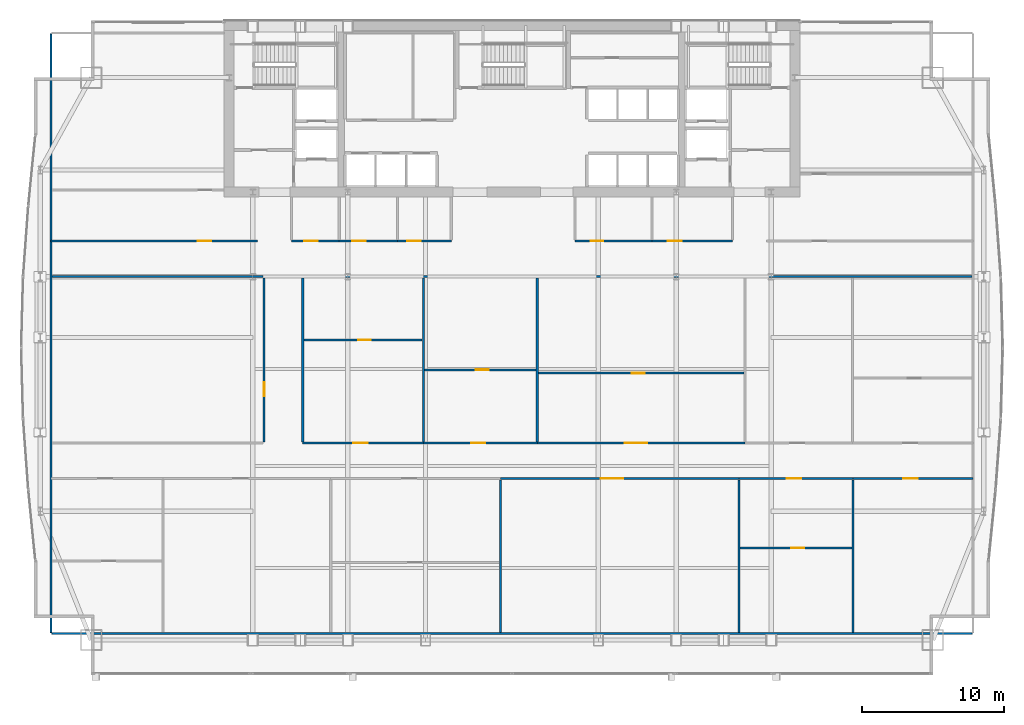
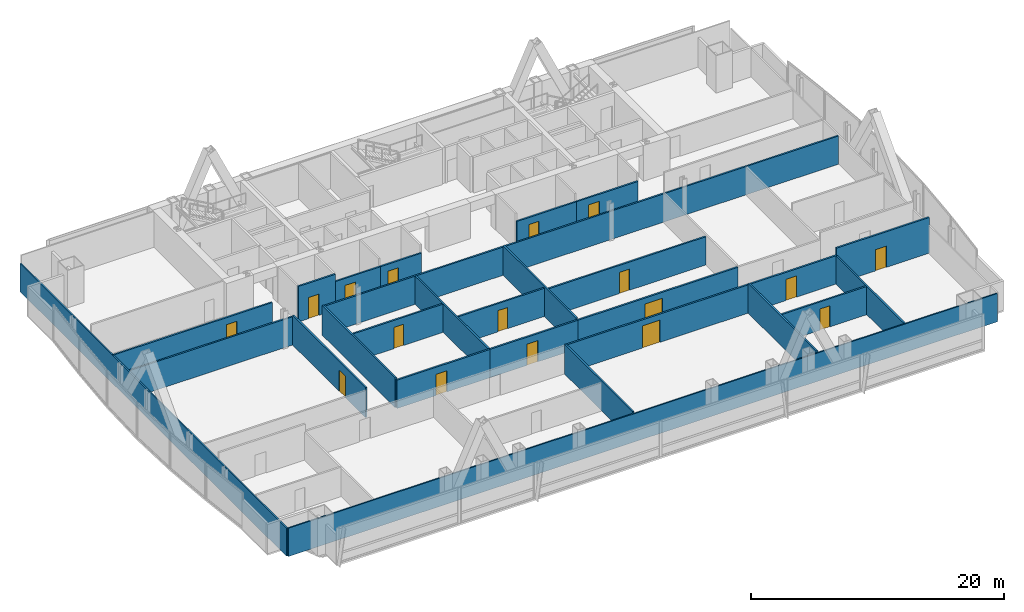
# One storey, part 26 of 31: 27 walls, 17 doors, 17 openings.
"""IFC4 building model written with IfcOpenShell, lengths in metres."""

from ifc_helpers import new_model, si_unit, direction, frame, frame_2d, origin, place, context, subcontext, project, spatial, rectangle, extrude, material, layer, layer_set, type_object, element, fill, save


model = new_model("IFC4")

# Units and contexts
model_context = context("Model", 3, precision=1e-05, world=origin(), true_north=direction((0.0, 1.0)))
body_context = subcontext(model_context, "Body", "Model", "MODEL_VIEW")
ifc_project = project(units=[si_unit("LENGTHUNIT", "METRE"), si_unit("AREAUNIT", "SQUARE_METRE"), si_unit("VOLUMEUNIT", "CUBIC_METRE"), si_unit("PLANEANGLEUNIT", "RADIAN"), si_unit("MASSUNIT", "GRAM", prefix="KILO")], contexts=[model_context])

# Site, building, storey
site_placement = place(None, origin())
site = spatial("IfcSite", under=ifc_project, at=site_placement, CompositionType="ELEMENT")
building_placement = place(site_placement, origin())
building = spatial("IfcBuilding", under=site, at=building_placement, Name="Khoronbel Lancet Exchange", CompositionType="ELEMENT")
storey_placement = place(building_placement, frame((0.0, 0.0, 129.0)))
storey = spatial("IfcBuildingStorey", under=building, at=storey_placement, Name="L31", CompositionType="ELEMENT", Elevation=129.0)

# Wall, opening, door
ifc_material_1 = material(Name="Acoustic Metal-Stud & Mineral-Wool Gypsum Partition 120 mm", Category="gypsum")
ifc_layer_1 = layer(ifc_material_1, 0.1201171875, Name="Acoustic Metal-Stud & Mineral-Wool Gypsum Partition 120 mm")
ifc_layer_set_1 = layer_set([ifc_layer_1], Name="Acoustic Metal-Stud & Mineral-Wool Gypsum Partition 120 mm")
wall_type_1 = type_object("IfcWallType", Name="WL-PRT120", PredefinedType="PARTITIONING", material=ifc_layer_set_1)
wall_1_placement = place(storey_placement, frame((52.48779296875, 16.61865234375, 0.0), z_axis=(0.0, 0.0, 1.0), x_axis=(1.0, 0.0, 0.0)))
wall_1 = element("IfcWall", 1, at=wall_1_placement, inside=storey, type_object=wall_type_1, Name="Level L31 interior partition PW-Z2S-H5", PredefinedType="PARTITIONING", context=body_context, shape_type="SweptSolid", body=[
    extrude(rectangle(XDim=7.855224609375, YDim=0.14990234375, at=frame_2d((3.927734375, 0.0))), origin(), (0.0, 0.0, 1.0), 2.72998046875),
])
opening_1_placement = place(wall_1_placement, frame((3.606689453125, 0.0, 0.0)))
opening_1 = element("IfcOpeningElement", 2, at=opening_1_placement, cuts=wall_1, Name="Opening D5", PredefinedType="OPENING", context=body_context, shape_type="SweptSolid", body=[
    extrude(rectangle(XDim=0.89990234375, YDim=2.050048828125, at=frame_2d((0.449951171875, 1.02490234375))), frame((0.0, 0.0849609375, 0.0), z_axis=(0.0, -1.0, 0.0), x_axis=(1.0, 0.0, 0.0)), (0.0, 0.0, 1.0), 0.169921875),
])
ifc_material_2 = material(Name="Acoustic Timber Pantry & Support Door", Category="wood")
door_type_1 = type_object("IfcDoorType", Name="DR-D5", OperationType="NOTDEFINED", PredefinedType="DOOR", material=ifc_material_2)
door_1_placement = place(opening_1_placement, origin())
door_1 = element("IfcDoor", 3, at=door_1_placement, inside=storey, type_object=door_type_1, Name="Z2S inner door 5 L31-1", OperationType="SINGLE_SWING_RIGHT", OverallHeight=2.050048828125, OverallWidth=0.89990234375, PredefinedType="DOOR", context=body_context, shape_type="SweptSolid", body=[
    extrude(rectangle(XDim=0.89990234375, YDim=2.050048828125, at=frame_2d((0.449951171875, 1.02490234375))), frame((0.0, 0.02490234375, 0.0), z_axis=(0.0, -1.0, 0.0), x_axis=(1.0, 0.0, 0.0)), (0.0, 0.0, 1.0), 0.050048828125),
])
fill(opening_1, door_1)

wall_2_placement = place(storey_placement, frame((21.81005859375, 31.25390625, 0.0), z_axis=(0.0, 0.0, 1.0), x_axis=(1.0, 0.0, 0.0)))
wall_2 = element("IfcWall", 4, at=wall_2_placement, inside=storey, type_object=wall_type_1, Name="Level L31 interior partition PW-Z2N-H1", PredefinedType="PARTITIONING", context=body_context, shape_type="SweptSolid", body=[
    extrude(rectangle(XDim=8.3251953125, YDim=0.14990234375, at=frame_2d((4.16259765625, 0.0))), origin(), (0.0, 0.0, 1.0), 2.72998046875),
])
opening_2_placement = place(wall_2_placement, frame((3.818359375, 0.0, 0.0)))
opening_2 = element("IfcOpeningElement", 5, at=opening_2_placement, cuts=wall_2, Name="Opening D5", PredefinedType="OPENING", context=body_context, shape_type="SweptSolid", body=[
    extrude(rectangle(XDim=0.89990234375, YDim=2.050048828125, at=frame_2d((0.449951171875, 1.02490234375))), frame((0.0, 0.0849609375, 0.0), z_axis=(0.0, -1.0, 0.0), x_axis=(1.0, 0.0, 0.0)), (0.0, 0.0, 1.0), 0.169921875),
])
door_2_placement = place(opening_2_placement, origin())
door_2 = element("IfcDoor", 6, at=door_2_placement, inside=storey, type_object=door_type_1, Name="Z2N inner door 1 L31-1", OperationType="SINGLE_SWING_RIGHT", OverallHeight=2.050048828125, OverallWidth=0.89990234375, PredefinedType="DOOR", context=body_context, shape_type="SweptSolid", body=[
    extrude(rectangle(XDim=0.89990234375, YDim=2.050048828125, at=frame_2d((0.449951171875, 1.02490234375))), frame((0.0, 0.02490234375, 0.0), z_axis=(0.0, -1.0, 0.0), x_axis=(1.0, 0.0, 0.0)), (0.0, 0.0, 1.0), 0.050048828125),
])
fill(opening_2, door_2)

wall_3_placement = place(storey_placement, frame((30.295166015625, 29.14794921875, 0.0), z_axis=(0.0, 0.0, 1.0), x_axis=(1.0, 0.0, 0.0)))
wall_3 = element("IfcWall", 7, at=wall_3_placement, inside=storey, type_object=wall_type_1, Name="Level L31 interior partition PW-Z2N-H2", PredefinedType="PARTITIONING", context=body_context, shape_type="SweptSolid", body=[
    extrude(rectangle(XDim=7.853759765625, YDim=0.14990234375, at=frame_2d((3.9267578125, 0.0))), origin(), (0.0, 0.0, 1.0), 2.72998046875),
])
opening_3_placement = place(wall_3_placement, frame((3.606201171875, 0.0, 0.0)))
opening_3 = element("IfcOpeningElement", 8, at=opening_3_placement, cuts=wall_3, Name="Opening D5", PredefinedType="OPENING", context=body_context, shape_type="SweptSolid", body=[
    extrude(rectangle(XDim=0.89990234375, YDim=2.050048828125, at=frame_2d((0.449951171875, 1.02490234375))), frame((0.0, 0.0849609375, 0.0), z_axis=(0.0, -1.0, 0.0), x_axis=(1.0, 0.0, 0.0)), (0.0, 0.0, 1.0), 0.169921875),
])
door_3_placement = place(opening_3_placement, origin())
door_3 = element("IfcDoor", 9, at=door_3_placement, inside=storey, type_object=door_type_1, Name="Z2N inner door 2 L31-1", OperationType="SINGLE_SWING_RIGHT", OverallHeight=2.050048828125, OverallWidth=0.89990234375, PredefinedType="DOOR", context=body_context, shape_type="SweptSolid", body=[
    extrude(rectangle(XDim=0.89990234375, YDim=2.050048828125, at=frame_2d((0.449951171875, 1.02490234375))), frame((0.0, 0.02490234375, 0.0), z_axis=(0.0, -1.0, 0.0), x_axis=(1.0, 0.0, 0.0)), (0.0, 0.0, 1.0), 0.050048828125),
])
fill(opening_3, door_3)

wall_4_placement = place(storey_placement, frame((38.30908203125, 28.9140625, 0.0), z_axis=(0.0, 0.0, 1.0), x_axis=(1.0, 0.0, 0.0)))
wall_4 = element("IfcWall", 10, at=wall_4_placement, inside=storey, type_object=wall_type_1, Name="Level L31 interior partition PW-Z2N-H3", PredefinedType="PARTITIONING", context=body_context, shape_type="SweptSolid", body=[
    extrude(rectangle(XDim=14.453369140625, YDim=0.14990234375, at=frame_2d((7.2265625, 0.0))), origin(), (0.0, 0.0, 1.0), 2.72998046875),
])
opening_4_placement = place(wall_4_placement, frame((6.575927734375, 0.0, 0.0)))
opening_4 = element("IfcOpeningElement", 11, at=opening_4_placement, cuts=wall_4, Name="Opening D5", PredefinedType="OPENING", context=body_context, shape_type="SweptSolid", body=[
    extrude(rectangle(XDim=0.89990234375, YDim=2.050048828125, at=frame_2d((0.449951171875, 1.02490234375))), frame((0.0, 0.0849609375, 0.0), z_axis=(0.0, -1.0, 0.0), x_axis=(1.0, 0.0, 0.0)), (0.0, 0.0, 1.0), 0.169921875),
])
door_4_placement = place(opening_4_placement, origin())
door_4 = element("IfcDoor", 12, at=door_4_placement, inside=storey, type_object=door_type_1, Name="Z2N inner door 3 L31-1", OperationType="SINGLE_SWING_LEFT", OverallHeight=2.050048828125, OverallWidth=0.89990234375, PredefinedType="DOOR", context=body_context, shape_type="SweptSolid", body=[
    extrude(rectangle(XDim=0.89990234375, YDim=2.050048828125, at=frame_2d((0.449951171875, 1.02490234375))), frame((0.0, 0.02490234375, 0.0), z_axis=(0.0, -1.0, 0.0), x_axis=(1.0, 0.0, 0.0)), (0.0, 0.0, 1.0), 0.050048828125),
])
fill(opening_4, door_4)

# Walls
wall_5_placement = place(storey_placement, frame((4.030029296875, 10.6650390625, 0.0), z_axis=(0.0, 0.0, 1.0), x_axis=(0.0, 1.0, 0.0)))
element("IfcWall", 13, at=wall_5_placement, inside=storey, type_object=wall_type_1, Name="Level L31 interior partition PW-LIN-W", PredefinedType="PARTITIONING", context=body_context, shape_type="SweptSolid", body=[
    extrude(rectangle(XDim=42.10986328125, YDim=0.1201171875, at=frame_2d((21.054931640625, 0.0))), origin(), (0.0, 0.0, 1.0), 2.72998046875),
])
wall_6_placement = place(storey_placement, frame((4.094970703125, 10.60009765625, 0.0), z_axis=(0.0, 0.0, 1.0), x_axis=(1.0, 0.0, 0.0)))
element("IfcWall", 14, at=wall_6_placement, inside=storey, type_object=wall_type_1, Name="Level L31 interior partition PW-LIN-S", PredefinedType="PARTITIONING", context=body_context, shape_type="SweptSolid", body=[
    extrude(rectangle(XDim=64.7099609375, YDim=0.1201171875, at=frame_2d((32.35498046875, 0.0))), origin(), (0.0, 0.0, 1.0), 2.72998046875),
])

# Wall, opening, door
ifc_material_3 = material(Name="Fire-Rated Twin-Stud Acoustic Gypsum Partition 150 mm", Category="gypsum")
ifc_layer_2 = layer(ifc_material_3, 0.14990234375, Name="Fire-Rated Twin-Stud Acoustic Gypsum Partition 150 mm")
ifc_layer_set_2 = layer_set([ifc_layer_2], Name="Fire-Rated Twin-Stud Acoustic Gypsum Partition 150 mm")
wall_type_2 = type_object("IfcWallType", Name="WL-PRT150C", PredefinedType="PARTITIONING", material=ifc_layer_set_2)
wall_7_placement = place(storey_placement, frame((20.949951171875, 38.199951171875, 0.0), z_axis=(0.0, 0.0, 1.0), x_axis=(1.0, 0.0, 0.0)))
wall_7 = element("IfcWall", 15, at=wall_7_placement, inside=storey, type_object=wall_type_2, Name="Level L31 interior partition PW-WC-S1", PredefinedType="PARTITIONING", context=body_context, shape_type="SweptSolid", body=[
    extrude(rectangle(XDim=3.35009765625, YDim=0.14990234375, at=frame_2d((1.675048828125, 0.0))), origin(), (0.0, 0.0, 1.0), 3.43994140625),
])
opening_5_placement = place(wall_7_placement, frame((0.89990234375, 0.0, 0.0)))
opening_5 = element("IfcOpeningElement", 16, at=opening_5_placement, cuts=wall_7, Name="Opening D4", PredefinedType="OPENING", context=body_context, shape_type="SweptSolid", body=[
    extrude(rectangle(XDim=0.949951171875, YDim=2.050048828125, at=frame_2d((0.47509765625, 1.02490234375))), frame((0.0, 0.0849609375, 0.0), z_axis=(0.0, -1.0, 0.0), x_axis=(1.0, 0.0, 0.0)), (0.0, 0.0, 1.0), 0.169921875),
])
ifc_material_4 = material(Name="Moisture-Resistant HPL Washroom Door", Category="wood")
door_type_2 = type_object("IfcDoorType", Name="DR-D4", OperationType="NOTDEFINED", PredefinedType="DOOR", material=ifc_material_4)
door_5_placement = place(opening_5_placement, origin())
door_5 = element("IfcDoor", 17, at=door_5_placement, inside=storey, type_object=door_type_2, Name="Male washroom door L31-1", OperationType="SINGLE_SWING_LEFT", OverallHeight=2.050048828125, OverallWidth=0.949951171875, PredefinedType="DOOR", context=body_context, shape_type="SweptSolid", body=[
    extrude(rectangle(XDim=0.949951171875, YDim=2.050048828125, at=frame_2d((0.47509765625, 1.02490234375))), frame((0.0, 0.02490234375, 0.0), z_axis=(0.0, -1.0, 0.0), x_axis=(1.0, 0.0, 0.0)), (0.0, 0.0, 1.0), 0.050048828125),
])
fill(opening_5, door_5)

wall_8_placement = place(storey_placement, frame((24.300048828125, 38.199951171875, 0.0), z_axis=(0.0, 0.0, 1.0), x_axis=(1.0, 0.0, 0.0)))
wall_8 = element("IfcWall", 18, at=wall_8_placement, inside=storey, type_object=wall_type_2, Name="Level L31 interior partition PW-WC-S2", PredefinedType="PARTITIONING", context=body_context, shape_type="SweptSolid", body=[
    extrude(rectangle(XDim=4.099853515625, YDim=0.14990234375, at=frame_2d((2.0498046875, 0.0))), origin(), (0.0, 0.0, 1.0), 2.72998046875),
])
opening_6_placement = place(wall_8_placement, frame((0.89990234375, 0.0, 0.0)))
opening_6 = element("IfcOpeningElement", 19, at=opening_6_placement, cuts=wall_8, Name="Opening D4", PredefinedType="OPENING", context=body_context, shape_type="SweptSolid", body=[
    extrude(rectangle(XDim=0.949951171875, YDim=2.050048828125, at=frame_2d((0.47509765625, 1.02490234375))), frame((0.0, 0.0849609375, 0.0), z_axis=(0.0, -1.0, 0.0), x_axis=(1.0, 0.0, 0.0)), (0.0, 0.0, 1.0), 0.169921875),
])
door_6_placement = place(opening_6_placement, origin())
door_6 = element("IfcDoor", 20, at=door_6_placement, inside=storey, type_object=door_type_2, Name="Female washroom door L31-1", OperationType="SINGLE_SWING_RIGHT", OverallHeight=2.050048828125, OverallWidth=0.949951171875, PredefinedType="DOOR", context=body_context, shape_type="SweptSolid", body=[
    extrude(rectangle(XDim=0.949951171875, YDim=2.050048828125, at=frame_2d((0.47509765625, 1.02490234375))), frame((0.0, 0.02490234375, 0.0), z_axis=(0.0, -1.0, 0.0), x_axis=(1.0, 0.0, 0.0)), (0.0, 0.0, 1.0), 0.050048828125),
])
fill(opening_6, door_6)

wall_9_placement = place(storey_placement, frame((28.39990234375, 38.199951171875, 0.0), z_axis=(0.0, 0.0, 1.0), x_axis=(1.0, 0.0, 0.0)))
wall_9 = element("IfcWall", 21, at=wall_9_placement, inside=storey, type_object=wall_type_2, Name="Level L31 interior partition PW-WC-S3", PredefinedType="PARTITIONING", context=body_context, shape_type="SweptSolid", body=[
    extrude(rectangle(XDim=3.780029296875, YDim=0.14990234375, at=frame_2d((1.89013671875, 0.0))), origin(), (0.0, 0.0, 1.0), 2.72998046875),
])
opening_7_placement = place(wall_9_placement, frame((0.699951171875, 0.0, 0.0)))
opening_7 = element("IfcOpeningElement", 22, at=opening_7_placement, cuts=wall_9, Name="Opening D4", PredefinedType="OPENING", context=body_context, shape_type="SweptSolid", body=[
    extrude(rectangle(XDim=0.949951171875, YDim=2.050048828125, at=frame_2d((0.47509765625, 1.02490234375))), frame((0.0, 0.0849609375, 0.0), z_axis=(0.0, -1.0, 0.0), x_axis=(1.0, 0.0, 0.0)), (0.0, 0.0, 1.0), 0.169921875),
])
door_7_placement = place(opening_7_placement, origin())
door_7 = element("IfcDoor", 23, at=door_7_placement, inside=storey, type_object=door_type_2, Name="Accessible WC door L31-1", OperationType="SINGLE_SWING_LEFT", OverallHeight=2.050048828125, OverallWidth=0.949951171875, PredefinedType="DOOR", context=body_context, shape_type="SweptSolid", body=[
    extrude(rectangle(XDim=0.949951171875, YDim=2.050048828125, at=frame_2d((0.47509765625, 1.02490234375))), frame((0.0, 0.02490234375, 0.0), z_axis=(0.0, -1.0, 0.0), x_axis=(1.0, 0.0, 0.0)), (0.0, 0.0, 1.0), 0.050048828125),
])
fill(opening_7, door_7)

wall_10_placement = place(storey_placement, frame((40.8798828125, 38.199951171875, 0.0), z_axis=(0.0, 0.0, 1.0), x_axis=(1.0, 0.0, 0.0)))
wall_10 = element("IfcWall", 24, at=wall_10_placement, inside=storey, type_object=wall_type_2, Name="Level L31 interior partition PW-NP-S1", PredefinedType="PARTITIONING", context=body_context, shape_type="SweptSolid", body=[
    extrude(rectangle(XDim=5.420166015625, YDim=0.14990234375, at=frame_2d((2.7099609375, 0.0))), origin(), (0.0, 0.0, 1.0), 2.72998046875),
])
opening_8_placement = place(wall_10_placement, frame((1.10009765625, 0.0, 0.0)))
opening_8 = element("IfcOpeningElement", 25, at=opening_8_placement, cuts=wall_10, Name="Opening D5", PredefinedType="OPENING", context=body_context, shape_type="SweptSolid", body=[
    extrude(rectangle(XDim=0.89990234375, YDim=2.050048828125, at=frame_2d((0.449951171875, 1.02490234375))), frame((0.0, 0.0849609375, 0.0), z_axis=(0.0, -1.0, 0.0), x_axis=(1.0, 0.0, 0.0)), (0.0, 0.0, 1.0), 0.169921875),
])
door_8_placement = place(opening_8_placement, origin())
door_8 = element("IfcDoor", 26, at=door_8_placement, inside=storey, type_object=door_type_1, Name="Floor refreshment pantry door L31-1", OperationType="SINGLE_SWING_RIGHT", OverallHeight=2.050048828125, OverallWidth=0.89990234375, PredefinedType="DOOR", context=body_context, shape_type="SweptSolid", body=[
    extrude(rectangle(XDim=0.89990234375, YDim=2.050048828125, at=frame_2d((0.449951171875, 1.02490234375))), frame((0.0, 0.02490234375, 0.0), z_axis=(0.0, -1.0, 0.0), x_axis=(1.0, 0.0, 0.0)), (0.0, 0.0, 1.0), 0.050048828125),
])
fill(opening_8, door_8)

wall_11_placement = place(storey_placement, frame((46.300048828125, 38.199951171875, 0.0), z_axis=(0.0, 0.0, 1.0), x_axis=(1.0, 0.0, 0.0)))
wall_11 = element("IfcWall", 27, at=wall_11_placement, inside=storey, type_object=wall_type_2, Name="Level L31 interior partition PW-NP-S2", PredefinedType="PARTITIONING", context=body_context, shape_type="SweptSolid", body=[
    extrude(rectangle(XDim=5.64990234375, YDim=0.14990234375, at=frame_2d((2.824951171875, 0.0))), origin(), (0.0, 0.0, 1.0), 2.72998046875),
])
opening_9_placement = place(wall_11_placement, frame((1.10009765625, 0.0, 0.0)))
opening_9 = element("IfcOpeningElement", 28, at=opening_9_placement, cuts=wall_11, Name="Opening D2", PredefinedType="OPENING", context=body_context, shape_type="SweptSolid", body=[
    extrude(rectangle(XDim=1.0, YDim=2.050048828125, at=frame_2d((0.5, 1.02490234375))), frame((0.0, 0.0849609375, 0.0), z_axis=(0.0, -1.0, 0.0), x_axis=(1.0, 0.0, 0.0)), (0.0, 0.0, 1.0), 0.169921875),
])
ifc_material_5 = material(Name="Acoustic Veneered Timber & Bronze Frame Door", Category="wood")
door_type_3 = type_object("IfcDoorType", Name="DR-D2", OperationType="NOTDEFINED", PredefinedType="DOOR", material=ifc_material_5)
door_9_placement = place(opening_9_placement, origin())
door_9 = element("IfcDoor", 29, at=door_9_placement, inside=storey, type_object=door_type_3, Name="Floor store door L31-1", OperationType="SINGLE_SWING_LEFT", OverallHeight=2.050048828125, OverallWidth=1.0, PredefinedType="DOOR", context=body_context, shape_type="SweptSolid", body=[
    extrude(rectangle(XDim=1.0, YDim=2.050048828125, at=frame_2d((0.5, 1.02490234375))), frame((0.0, 0.02490234375, 0.0), z_axis=(0.0, -1.0, 0.0), x_axis=(1.0, 0.0, 0.0)), (0.0, 0.0, 1.0), 0.050048828125),
])
fill(opening_9, door_9)

wall_12_placement = place(storey_placement, frame((4.030029296875, 38.199951171875, 0.0), z_axis=(0.0, 0.0, 1.0), x_axis=(1.0, 0.0, 0.0)))
wall_12 = element("IfcWall", 30, at=wall_12_placement, inside=storey, type_object=wall_type_2, Name="Level L31 interior partition PW-NW-S", PredefinedType="PARTITIONING", context=body_context, shape_type="SweptSolid", body=[
    extrude(rectangle(XDim=14.52001953125, YDim=0.14990234375, at=frame_2d((7.260009765625, 0.0))), origin(), (0.0, 0.0, 1.0), 2.72998046875),
])
opening_10_placement = place(wall_12_placement, frame((10.320068359375, 0.0, 0.0)))
opening_10 = element("IfcOpeningElement", 31, at=opening_10_placement, cuts=wall_12, Name="Opening D1", PredefinedType="OPENING", context=body_context, shape_type="SweptSolid", body=[
    extrude(rectangle(XDim=0.949951171875, YDim=2.050048828125, at=frame_2d((0.47509765625, 1.02490234375))), frame((0.0, 0.0849609375, 0.0), z_axis=(0.0, -1.0, 0.0), x_axis=(1.0, 0.0, 0.0)), (0.0, 0.0, 1.0), 0.169921875),
])
door_type_4 = type_object("IfcDoorType", Name="DR-D1", OperationType="NOTDEFINED", PredefinedType="DOOR", material=ifc_material_5)
door_10_placement = place(opening_10_placement, origin())
door_10 = element("IfcDoor", 32, at=door_10_placement, inside=storey, type_object=door_type_4, Name="NW corner room door L31-1", OperationType="SINGLE_SWING_RIGHT", OverallHeight=2.050048828125, OverallWidth=0.949951171875, PredefinedType="DOOR", context=body_context, shape_type="SweptSolid", body=[
    extrude(rectangle(XDim=0.949951171875, YDim=2.050048828125, at=frame_2d((0.47509765625, 1.02490234375))), frame((0.0, 0.02490234375, 0.0), z_axis=(0.0, -1.0, 0.0), x_axis=(1.0, 0.0, 0.0)), (0.0, 0.0, 1.0), 0.050048828125),
])
fill(opening_10, door_10)

# Walls
for number, where, z_axis, x_axis, name in (
    (33, (35.64453125, 10.6650390625, 0.0), (0.0, 0.0, 1.0), (0.0, 1.0, 0.0), "Level L31 interior partition PW-Z2S-V3"),
    (34, (52.407958984375, 10.6650390625, 0.0), (0.0, 0.0, 1.0), (0.0, 1.0, 0.0), "Level L31 interior partition PW-Z2S-V4"),
):
    element("IfcWall", number, at=place(storey_placement, frame(where, z_axis=z_axis, x_axis=x_axis)), inside=storey, type_object=wall_type_2, Name=name, PredefinedType="PARTITIONING", context=body_context, shape_type="SweptSolid", body=[
        extrude(rectangle(XDim=10.75, YDim=0.14990234375, at=frame_2d((5.375, 0.0))), origin(), (0.0, 0.0, 1.0), 2.8798828125),
    ])
wall_13_placement = place(storey_placement, frame((60.4228515625, 10.6650390625, 0.0), z_axis=(0.0, 0.0, 1.0), x_axis=(0.0, 1.0, 0.0)))
element("IfcWall", 35, at=wall_13_placement, inside=storey, type_object=wall_type_2, Name="Level L31 interior partition PW-Z2S-V5", PredefinedType="PARTITIONING", context=body_context, shape_type="SweptSolid", body=[
    extrude(rectangle(XDim=10.75, YDim=0.14990234375, at=frame_2d((5.375, 0.0))), origin(), (0.0, 0.0, 1.0), 2.72998046875),
])

# Wall, opening, door
wall_14_placement = place(storey_placement, frame((19.02001953125, 24.080078125, 0.0), z_axis=(0.0, 0.0, 1.0), x_axis=(0.0, 1.0, 0.0)))
wall_14 = element("IfcWall", 36, at=wall_14_placement, inside=storey, type_object=wall_type_2, Name="Level L31 interior partition PW-Z2-WLK", PredefinedType="PARTITIONING", context=body_context, shape_type="SweptSolid", body=[
    extrude(rectangle(XDim=11.5400390625, YDim=0.14990234375, at=frame_2d((5.77001953125, 0.0))), origin(), (0.0, 0.0, 1.0), 2.8798828125),
])
opening_11_placement = place(wall_14_placement, frame((3.199951171875, 0.0, 0.0)))
opening_11 = element("IfcOpeningElement", 37, at=opening_11_placement, cuts=wall_14, Name="Opening D2", PredefinedType="OPENING", context=body_context, shape_type="SweptSolid", body=[
    extrude(rectangle(XDim=1.0, YDim=2.050048828125, at=frame_2d((0.5, 1.02490234375))), frame((0.0, 0.0849609375, 0.0), z_axis=(0.0, -1.0, 0.0), x_axis=(1.0, 0.0, 0.0)), (0.0, 0.0, 1.0), 0.169921875),
])
door_11_placement = place(opening_11_placement, origin())
door_11 = element("IfcDoor", 38, at=door_11_placement, inside=storey, type_object=door_type_3, Name="West mid-band room door L31-1", OperationType="SINGLE_SWING_RIGHT", OverallHeight=2.050048828125, OverallWidth=1.0, PredefinedType="DOOR", context=body_context, shape_type="SweptSolid", body=[
    extrude(rectangle(XDim=1.0, YDim=2.050048828125, at=frame_2d((0.5, 1.02490234375))), frame((0.0, 0.02490234375, 0.0), z_axis=(0.0, -1.0, 0.0), x_axis=(1.0, 0.0, 0.0)), (0.0, 0.0, 1.0), 0.050048828125),
])
fill(opening_11, door_11)

# Walls
wall_15_placement = place(storey_placement, frame((4.094970703125, 35.699951171875, 0.0), z_axis=(0.0, 0.0, 1.0), x_axis=(1.0, 0.0, 0.0)))
element("IfcWall", 39, at=wall_15_placement, inside=storey, type_object=wall_type_2, Name="Level L31 interior partition PW-Z2-WN", PredefinedType="PARTITIONING", context=body_context, shape_type="SweptSolid", body=[
    extrude(rectangle(XDim=14.844970703125, YDim=0.14990234375, at=frame_2d((7.42236328125, 0.0))), origin(), (0.0, 0.0, 1.0), 2.72998046875),
])
wall_16_placement = place(storey_placement, frame((21.72998046875, 24.0849609375, 0.0), z_axis=(0.0, 0.0, 1.0), x_axis=(0.0, 1.0, 0.0)))
element("IfcWall", 40, at=wall_16_placement, inside=storey, type_object=wall_type_2, Name="Level L31 interior partition PW-Z2-ELK", PredefinedType="PARTITIONING", context=body_context, shape_type="SweptSolid", body=[
    extrude(rectangle(XDim=11.53515625, YDim=0.14990234375, at=frame_2d((5.767578125, 0.0))), origin(), (0.0, 0.0, 1.0), 2.8798828125),
])
wall_17_placement = place(storey_placement, frame((21.81005859375, 35.699951171875, 0.0), z_axis=(0.0, 0.0, 1.0), x_axis=(1.0, 0.0, 0.0)))
element("IfcWall", 41, at=wall_17_placement, inside=storey, type_object=wall_type_2, Name="Level L31 interior partition PW-Z2-EN", PredefinedType="PARTITIONING", context=body_context, shape_type="SweptSolid", body=[
    extrude(rectangle(XDim=46.994873046875, YDim=0.14990234375, at=frame_2d((23.49755859375, 0.0))), origin(), (0.0, 0.0, 1.0), 2.72998046875),
])
wall_18_placement = place(storey_placement, frame((30.215087890625, 24.0849609375, 0.0), z_axis=(0.0, 0.0, 1.0), x_axis=(0.0, 1.0, 0.0)))
element("IfcWall", 42, at=wall_18_placement, inside=storey, type_object=wall_type_2, Name="Level L31 interior partition PW-Z2N-V1", PredefinedType="PARTITIONING", context=body_context, shape_type="SweptSolid", body=[
    extrude(rectangle(XDim=11.53515625, YDim=0.14990234375, at=frame_2d((5.767578125, 0.0))), origin(), (0.0, 0.0, 1.0), 2.72998046875),
])
wall_19_placement = place(storey_placement, frame((38.22900390625, 24.0849609375, 0.0), z_axis=(0.0, 0.0, 1.0), x_axis=(0.0, 1.0, 0.0)))
element("IfcWall", 43, at=wall_19_placement, inside=storey, type_object=wall_type_2, Name="Level L31 interior partition PW-Z2N-V2", PredefinedType="PARTITIONING", context=body_context, shape_type="SweptSolid", body=[
    extrude(rectangle(XDim=11.53515625, YDim=0.14990234375, at=frame_2d((5.767578125, 0.0))), origin(), (0.0, 0.0, 1.0), 2.8798828125),
])

# Wall, opening, door
ifc_material_6 = material(Name="Fire-Rated Twin-Stud Acoustic Gypsum Partition 160 mm", Category="gypsum")
ifc_layer_3 = layer(ifc_material_6, 0.159912109375, Name="Fire-Rated Twin-Stud Acoustic Gypsum Partition 160 mm")
ifc_layer_set_3 = layer_set([ifc_layer_3], Name="Fire-Rated Twin-Stud Acoustic Gypsum Partition 160 mm")
wall_type_3 = type_object("IfcWallType", Name="WL-PRT160C", PredefinedType="PARTITIONING", material=ifc_layer_set_3)
wall_20_placement = place(storey_placement, frame((35.64453125, 21.5, 0.0), z_axis=(0.0, 0.0, 1.0), x_axis=(1.0, 0.0, 0.0)))
wall_20 = element("IfcWall", 44, at=wall_20_placement, inside=storey, type_object=wall_type_3, Name="Level L31 interior partition PW-Z2S-COR4", PredefinedType="PARTITIONING", context=body_context, shape_type="SweptSolid", body=[
    extrude(rectangle(XDim=16.763427734375, YDim=0.159912109375, at=frame_2d((8.3818359375, 0.0))), origin(), (0.0, 0.0, 1.0), 2.72998046875),
])
opening_12_placement = place(wall_20_placement, frame((7.04052734375, 0.0, 0.0)))
opening_12 = element("IfcOpeningElement", 45, at=opening_12_placement, cuts=wall_20, Name="Opening D3", PredefinedType="OPENING", context=body_context, shape_type="SweptSolid", body=[
    extrude(rectangle(XDim=1.60009765625, YDim=2.14990234375, at=frame_2d((0.800048828125, 1.074951171875))), frame((0.0, 0.08984375, 0.0), z_axis=(0.0, -1.0, 0.0), x_axis=(1.0, 0.0, 0.0)), (0.0, 0.0, 1.0), 0.179931640625),
])
ifc_material_7 = material(Name="Glazed Bronze-Framed Double Suite Door", Category="aluminium")
door_type_5 = type_object("IfcDoorType", Name="DR-D3", OperationType="NOTDEFINED", PredefinedType="DOOR", material=ifc_material_7)
door_12_placement = place(opening_12_placement, origin())
door_12 = element("IfcDoor", 46, at=door_12_placement, inside=storey, type_object=door_type_5, Name="Z2S bay 4 door L31-1", OperationType="DOUBLE_DOOR_SINGLE_SWING", OverallHeight=2.14990234375, OverallWidth=1.60009765625, PredefinedType="DOOR", context=body_context, shape_type="SweptSolid", body=[
    extrude(rectangle(XDim=1.60009765625, YDim=2.14990234375, at=frame_2d((0.800048828125, 1.074951171875))), frame((0.0, 0.02490234375, 0.0), z_axis=(0.0, -1.0, 0.0), x_axis=(1.0, 0.0, 0.0)), (0.0, 0.0, 1.0), 0.050048828125),
])
fill(opening_12, door_12)

wall_21_placement = place(storey_placement, frame((52.407958984375, 21.5, 0.0), z_axis=(0.0, 0.0, 1.0), x_axis=(1.0, 0.0, 0.0)))
wall_21 = element("IfcWall", 47, at=wall_21_placement, inside=storey, type_object=wall_type_3, Name="Level L31 interior partition PW-Z2S-COR5", PredefinedType="PARTITIONING", context=body_context, shape_type="SweptSolid", body=[
    extrude(rectangle(XDim=8.014892578125, YDim=0.159912109375, at=frame_2d((4.00732421875, 0.0))), origin(), (0.0, 0.0, 1.0), 2.72998046875),
])
opening_13_placement = place(wall_21_placement, frame((3.3662109375, 0.0, 0.0)))
opening_13 = element("IfcOpeningElement", 48, at=opening_13_placement, cuts=wall_21, Name="Opening D2", PredefinedType="OPENING", context=body_context, shape_type="SweptSolid", body=[
    extrude(rectangle(XDim=1.0, YDim=2.050048828125, at=frame_2d((0.5, 1.02490234375))), frame((0.0, 0.08984375, 0.0), z_axis=(0.0, -1.0, 0.0), x_axis=(1.0, 0.0, 0.0)), (0.0, 0.0, 1.0), 0.179931640625),
])
door_13_placement = place(opening_13_placement, origin())
door_13 = element("IfcDoor", 49, at=door_13_placement, inside=storey, type_object=door_type_3, Name="Z2S bay 5 door L31-1", OperationType="SINGLE_SWING_LEFT", OverallHeight=2.050048828125, OverallWidth=1.0, PredefinedType="DOOR", context=body_context, shape_type="SweptSolid", body=[
    extrude(rectangle(XDim=1.0, YDim=2.050048828125, at=frame_2d((0.5, 1.02490234375))), frame((0.0, 0.02490234375, 0.0), z_axis=(0.0, -1.0, 0.0), x_axis=(1.0, 0.0, 0.0)), (0.0, 0.0, 1.0), 0.050048828125),
])
fill(opening_13, door_13)

wall_22_placement = place(storey_placement, frame((60.4228515625, 21.5, 0.0), z_axis=(0.0, 0.0, 1.0), x_axis=(1.0, 0.0, 0.0)))
wall_22 = element("IfcWall", 50, at=wall_22_placement, inside=storey, type_object=wall_type_3, Name="Level L31 interior partition PW-Z2S-COR6", PredefinedType="PARTITIONING", context=body_context, shape_type="SweptSolid", body=[
    extrude(rectangle(XDim=8.447265625, YDim=0.159912109375, at=frame_2d((4.2236328125, 0.0))), origin(), (0.0, 0.0, 1.0), 3.43994140625),
])
opening_14_placement = place(wall_22_placement, frame((3.5478515625, 0.0, 0.0)))
opening_14 = element("IfcOpeningElement", 51, at=opening_14_placement, cuts=wall_22, Name="Opening D2", PredefinedType="OPENING", context=body_context, shape_type="SweptSolid", body=[
    extrude(rectangle(XDim=1.0, YDim=2.050048828125, at=frame_2d((0.5, 1.02490234375))), frame((0.0, 0.08984375, 0.0), z_axis=(0.0, -1.0, 0.0), x_axis=(1.0, 0.0, 0.0)), (0.0, 0.0, 1.0), 0.179931640625),
])
door_14_placement = place(opening_14_placement, origin())
door_14 = element("IfcDoor", 52, at=door_14_placement, inside=storey, type_object=door_type_3, Name="Z2S bay 6 door L31-1", OperationType="SINGLE_SWING_LEFT", OverallHeight=2.050048828125, OverallWidth=1.0, PredefinedType="DOOR", context=body_context, shape_type="SweptSolid", body=[
    extrude(rectangle(XDim=1.0, YDim=2.050048828125, at=frame_2d((0.5, 1.02490234375))), frame((0.0, 0.02490234375, 0.0), z_axis=(0.0, -1.0, 0.0), x_axis=(1.0, 0.0, 0.0)), (0.0, 0.0, 1.0), 0.050048828125),
])
fill(opening_14, door_14)

wall_23_placement = place(storey_placement, frame((21.72998046875, 24.0, 0.0), z_axis=(0.0, 0.0, 1.0), x_axis=(1.0, 0.0, 0.0)))
wall_23 = element("IfcWall", 53, at=wall_23_placement, inside=storey, type_object=wall_type_3, Name="Level L31 interior partition PW-Z2N-COR1", PredefinedType="PARTITIONING", context=body_context, shape_type="SweptSolid", body=[
    extrude(rectangle(XDim=8.485107421875, YDim=0.159912109375, at=frame_2d((4.24267578125, 0.0))), origin(), (0.0, 0.0, 1.0), 2.72998046875),
])
opening_15_placement = place(wall_23_placement, frame((3.563720703125, 0.0, 0.0)))
opening_15 = element("IfcOpeningElement", 54, at=opening_15_placement, cuts=wall_23, Name="Opening D2", PredefinedType="OPENING", context=body_context, shape_type="SweptSolid", body=[
    extrude(rectangle(XDim=1.0, YDim=2.050048828125, at=frame_2d((0.5, 1.02490234375))), frame((0.0, 0.08984375, 0.0), z_axis=(0.0, -1.0, 0.0), x_axis=(1.0, 0.0, 0.0)), (0.0, 0.0, 1.0), 0.179931640625),
])
door_15_placement = place(opening_15_placement, origin())
door_15 = element("IfcDoor", 55, at=door_15_placement, inside=storey, type_object=door_type_3, Name="Z2N bay 1 door L31-1", OperationType="SINGLE_SWING_LEFT", OverallHeight=2.050048828125, OverallWidth=1.0, PredefinedType="DOOR", context=body_context, shape_type="SweptSolid", body=[
    extrude(rectangle(XDim=1.0, YDim=2.050048828125, at=frame_2d((0.5, 1.02490234375))), frame((0.0, 0.02490234375, 0.0), z_axis=(0.0, -1.0, 0.0), x_axis=(1.0, 0.0, 0.0)), (0.0, 0.0, 1.0), 0.050048828125),
])
fill(opening_15, door_15)

wall_24_placement = place(storey_placement, frame((30.215087890625, 24.0, 0.0), z_axis=(0.0, 0.0, 1.0), x_axis=(1.0, 0.0, 0.0)))
wall_24 = element("IfcWall", 56, at=wall_24_placement, inside=storey, type_object=wall_type_3, Name="Level L31 interior partition PW-Z2N-COR2", PredefinedType="PARTITIONING", context=body_context, shape_type="SweptSolid", body=[
    extrude(rectangle(XDim=8.013916015625, YDim=0.159912109375, at=frame_2d((4.0068359375, 0.0))), origin(), (0.0, 0.0, 1.0), 2.72998046875),
])
opening_16_placement = place(wall_24_placement, frame((3.36572265625, 0.0, 0.0)))
opening_16 = element("IfcOpeningElement", 57, at=opening_16_placement, cuts=wall_24, Name="Opening D2", PredefinedType="OPENING", context=body_context, shape_type="SweptSolid", body=[
    extrude(rectangle(XDim=1.0, YDim=2.050048828125, at=frame_2d((0.5, 1.02490234375))), frame((0.0, 0.08984375, 0.0), z_axis=(0.0, -1.0, 0.0), x_axis=(1.0, 0.0, 0.0)), (0.0, 0.0, 1.0), 0.179931640625),
])
door_16_placement = place(opening_16_placement, origin())
door_16 = element("IfcDoor", 58, at=door_16_placement, inside=storey, type_object=door_type_3, Name="Z2N bay 2 door L31-1", OperationType="SINGLE_SWING_LEFT", OverallHeight=2.050048828125, OverallWidth=1.0, PredefinedType="DOOR", context=body_context, shape_type="SweptSolid", body=[
    extrude(rectangle(XDim=1.0, YDim=2.050048828125, at=frame_2d((0.5, 1.02490234375))), frame((0.0, 0.02490234375, 0.0), z_axis=(0.0, -1.0, 0.0), x_axis=(1.0, 0.0, 0.0)), (0.0, 0.0, 1.0), 0.050048828125),
])
fill(opening_16, door_16)

wall_25_placement = place(storey_placement, frame((38.22900390625, 24.0, 0.0), z_axis=(0.0, 0.0, 1.0), x_axis=(1.0, 0.0, 0.0)))
wall_25 = element("IfcWall", 59, at=wall_25_placement, inside=storey, type_object=wall_type_3, Name="Level L31 interior partition PW-Z2N-COR3", PredefinedType="PARTITIONING", context=body_context, shape_type="SweptSolid", body=[
    extrude(rectangle(XDim=14.61328125, YDim=0.159912109375, at=frame_2d((7.306640625, 0.0))), origin(), (0.0, 0.0, 1.0), 2.72998046875),
])
opening_17_placement = place(wall_25_placement, frame((6.1376953125, 0.0, 0.0)))
opening_17 = element("IfcOpeningElement", 60, at=opening_17_placement, cuts=wall_25, Name="Opening D3", PredefinedType="OPENING", context=body_context, shape_type="SweptSolid", body=[
    extrude(rectangle(XDim=1.60009765625, YDim=2.14990234375, at=frame_2d((0.800048828125, 1.074951171875))), frame((0.0, 0.08984375, 0.0), z_axis=(0.0, -1.0, 0.0), x_axis=(1.0, 0.0, 0.0)), (0.0, 0.0, 1.0), 0.179931640625),
])
door_17_placement = place(opening_17_placement, origin())
door_17 = element("IfcDoor", 61, at=door_17_placement, inside=storey, type_object=door_type_5, Name="Z2N bay 3 door L31-1", OperationType="DOUBLE_DOOR_SINGLE_SWING", OverallHeight=2.14990234375, OverallWidth=1.60009765625, PredefinedType="DOOR", context=body_context, shape_type="SweptSolid", body=[
    extrude(rectangle(XDim=1.60009765625, YDim=2.14990234375, at=frame_2d((0.800048828125, 1.074951171875))), frame((0.0, 0.02490234375, 0.0), z_axis=(0.0, -1.0, 0.0), x_axis=(1.0, 0.0, 0.0)), (0.0, 0.0, 1.0), 0.050048828125),
])
fill(opening_17, door_17)

save(model, "model.ifc")
